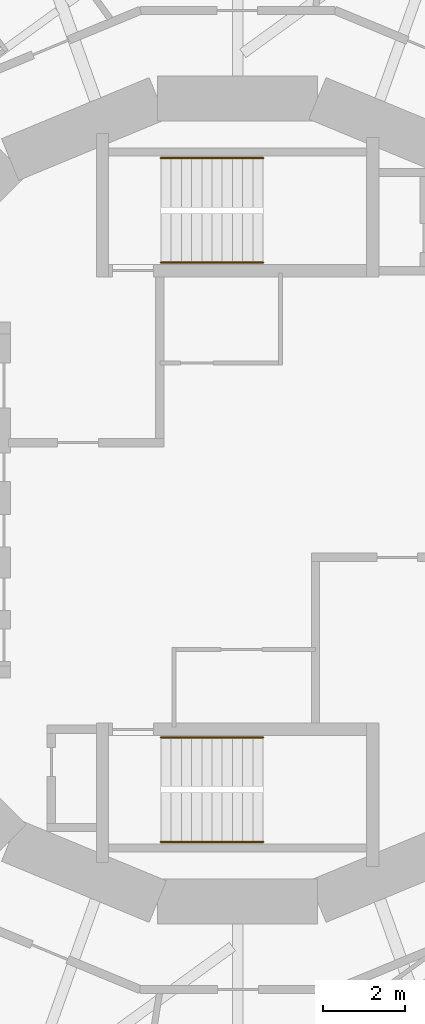
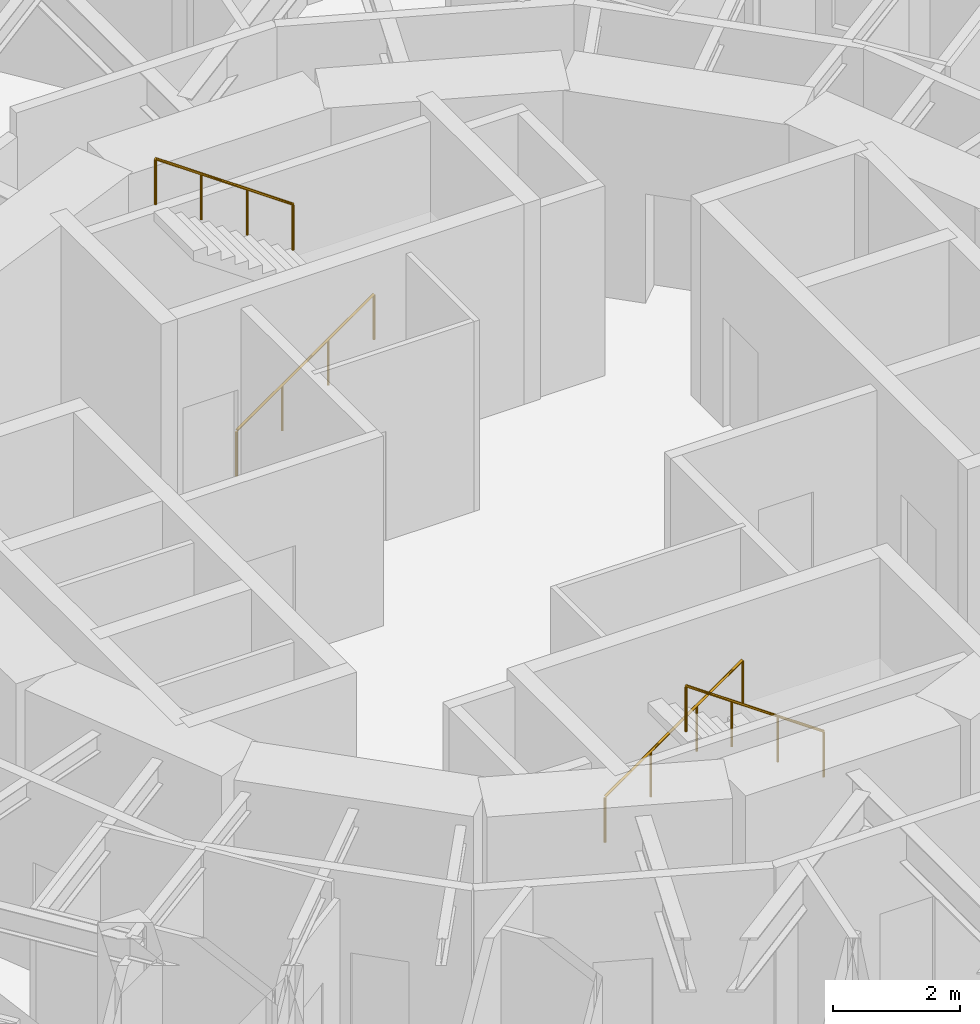
# One storey, part 9 of 9: 4 railings.
"""IFC4 building model written with IfcOpenShell, lengths in metres."""

from ifc_helpers import new_model, si_unit, direction, frame, origin, origin_2d, place, context, subcontext, project, spatial, circle, extrude, material, type_object, element, save


model = new_model("IFC4")

# Units and contexts
model_context = context("Model", 3, precision=1e-05, world=origin(), true_north=direction((0.0, 1.0)))
body_context = subcontext(model_context, "Body", "Model", "MODEL_VIEW")
ifc_project = project(units=[si_unit("LENGTHUNIT", "METRE"), si_unit("AREAUNIT", "SQUARE_METRE"), si_unit("VOLUMEUNIT", "CUBIC_METRE"), si_unit("PLANEANGLEUNIT", "RADIAN"), si_unit("MASSUNIT", "GRAM", prefix="KILO")], contexts=[model_context])

# Site, building, storey
site_placement = place(None, origin())
site = spatial("IfcSite", under=ifc_project, at=site_placement, CompositionType="ELEMENT")
building_placement = place(site_placement, origin())
building = spatial("IfcBuilding", under=site, at=building_placement, Name="Nakasero Lantern House", CompositionType="ELEMENT")
storey_placement = place(building_placement, frame((0.0, 0.0, 267.60009765625)))
storey = spatial("IfcBuildingStorey", under=building, at=storey_placement, Name="L65", CompositionType="ELEMENT", Elevation=267.60009765625)

# Railings
ifc_material = material(Name="Stainless steel 316", Category="steel")
railing_type = type_object("IfcRailingType", Name="Stair handrail 900", PredefinedType="HANDRAIL", material=ifc_material)
railing_1_placement = place(storey_placement, frame((-1.875, 5.800048828125, 0.1748046875)))
element("IfcRailing", 1, at=railing_1_placement, inside=storey, type_object=railing_type, Name="Handrail ST1 L65 flight 1", PredefinedType="HANDRAIL", context=body_context, shape_type="SweptSolid", body=[
    extrude(circle(Radius=0.02392578125, at=origin_2d()), frame((0.0, 0.0, 0.8759765625), z_axis=(0.819231920519, 0.0, 0.573462344363), x_axis=(0.0, 1.0, 0.0)), (0.0, 0.0, 1.0), 3.0517578125),
    extrude(circle(Radius=0.02099609375, at=origin_2d()), origin(), (0.0, 0.0, 1.0), 0.851806640625),
    extrude(circle(Radius=0.02099609375, at=origin_2d()), frame((0.833251953125, 0.0, 0.583251953125)), (0.0, 0.0, 1.0), 0.851806640625),
    extrude(circle(Radius=0.02099609375, at=origin_2d()), frame((1.666748046875, 0.0, 1.166748046875)), (0.0, 0.0, 1.0), 0.851806640625),
    extrude(circle(Radius=0.02099609375, at=origin_2d()), frame((2.5, 0.0, 1.75)), (0.0, 0.0, 1.0), 0.851806640625),
])
railing_2_placement = place(storey_placement, frame((0.625, 8.35009765625, 2.099853515625)))
element("IfcRailing", 2, at=railing_2_placement, inside=storey, type_object=railing_type, Name="Handrail ST1 L65 flight 2", PredefinedType="HANDRAIL", context=body_context, shape_type="SweptSolid", body=[
    extrude(circle(Radius=0.02392578125, at=origin_2d()), frame((0.0, 0.0, 0.8759765625), z_axis=(-0.819231920519, 0.0, 0.573462344363), x_axis=(0.0, -1.0, 0.0)), (0.0, 0.0, 1.0), 3.0517578125),
    extrude(circle(Radius=0.02099609375, at=origin_2d()), origin(), (0.0, 0.0, 1.0), 0.851806640625),
    extrude(circle(Radius=0.02099609375, at=origin_2d()), frame((-0.833251953125, 0.0, 0.583251953125)), (0.0, 0.0, 1.0), 0.851806640625),
    extrude(circle(Radius=0.02099609375, at=origin_2d()), frame((-1.666748046875, 0.0, 1.166748046875)), (0.0, 0.0, 1.0), 0.851806640625),
    extrude(circle(Radius=0.02099609375, at=origin_2d()), frame((-2.5, 0.0, 1.75)), (0.0, 0.0, 1.0), 0.851806640625),
])
railing_3_placement = place(storey_placement, frame((-1.875, -5.800048828125, 0.1748046875)))
element("IfcRailing", 3, at=railing_3_placement, inside=storey, type_object=railing_type, Name="Handrail ST2 L65 flight 1", PredefinedType="HANDRAIL", context=body_context, shape_type="SweptSolid", body=[
    extrude(circle(Radius=0.02392578125, at=origin_2d()), frame((0.0, 0.0, 0.8759765625), z_axis=(0.819231920519, 0.0, 0.573462344363), x_axis=(0.0, 1.0, 0.0)), (0.0, 0.0, 1.0), 3.0517578125),
    extrude(circle(Radius=0.02099609375, at=origin_2d()), origin(), (0.0, 0.0, 1.0), 0.851806640625),
    extrude(circle(Radius=0.02099609375, at=origin_2d()), frame((0.833251953125, 0.0, 0.583251953125)), (0.0, 0.0, 1.0), 0.851806640625),
    extrude(circle(Radius=0.02099609375, at=origin_2d()), frame((1.666748046875, 0.0, 1.166748046875)), (0.0, 0.0, 1.0), 0.851806640625),
    extrude(circle(Radius=0.02099609375, at=origin_2d()), frame((2.5, 0.0, 1.75)), (0.0, 0.0, 1.0), 0.851806640625),
])
railing_4_placement = place(storey_placement, frame((0.625, -8.35009765625, 2.099853515625)))
element("IfcRailing", 4, at=railing_4_placement, inside=storey, type_object=railing_type, Name="Handrail ST2 L65 flight 2", PredefinedType="HANDRAIL", context=body_context, shape_type="SweptSolid", body=[
    extrude(circle(Radius=0.02392578125, at=origin_2d()), frame((0.0, 0.0, 0.8759765625), z_axis=(-0.819231920519, 0.0, 0.573462344363), x_axis=(0.0, -1.0, 0.0)), (0.0, 0.0, 1.0), 3.0517578125),
    extrude(circle(Radius=0.02099609375, at=origin_2d()), origin(), (0.0, 0.0, 1.0), 0.851806640625),
    extrude(circle(Radius=0.02099609375, at=origin_2d()), frame((-0.833251953125, 0.0, 0.583251953125)), (0.0, 0.0, 1.0), 0.851806640625),
    extrude(circle(Radius=0.02099609375, at=origin_2d()), frame((-1.666748046875, 0.0, 1.166748046875)), (0.0, 0.0, 1.0), 0.851806640625),
    extrude(circle(Radius=0.02099609375, at=origin_2d()), frame((-2.5, 0.0, 1.75)), (0.0, 0.0, 1.0), 0.851806640625),
])

save(model, "model.ifc")
